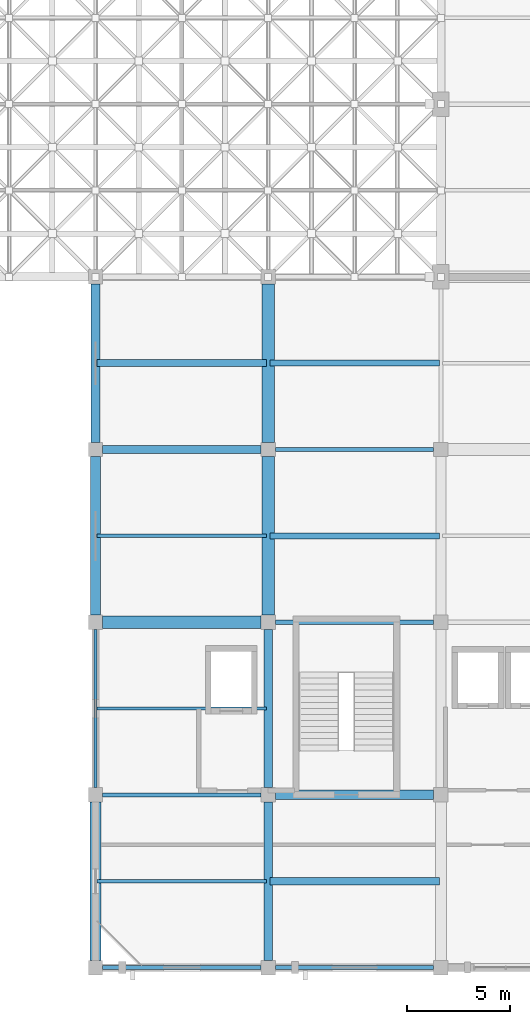
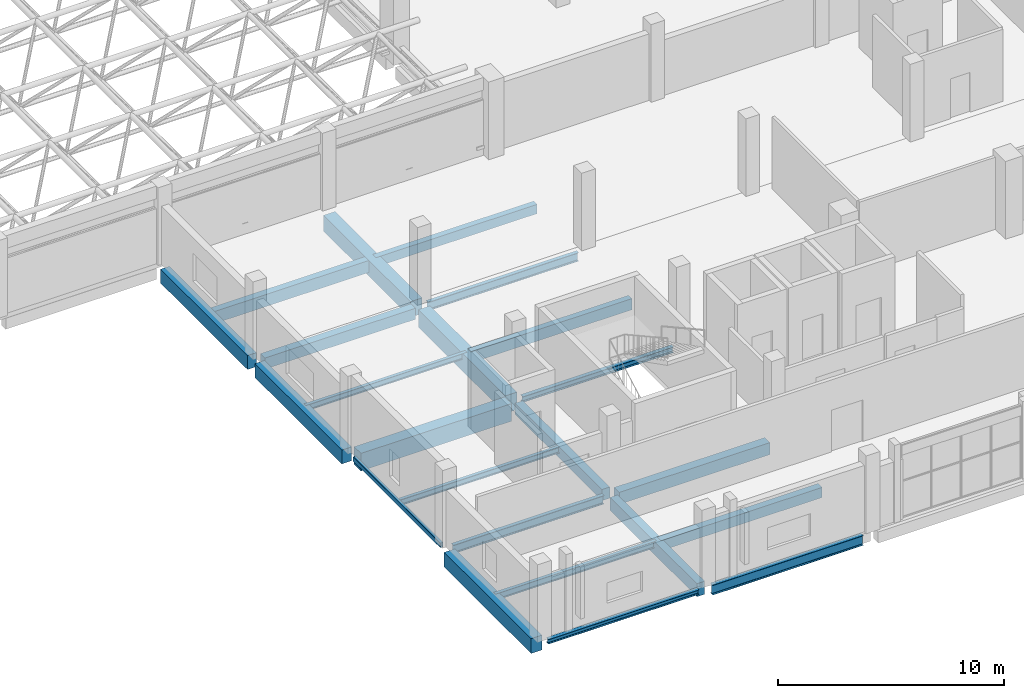
# One storey, part 9 of 64: 23 beams.
"""IFC4 building model written with IfcOpenShell, lengths in metres."""

from ifc_helpers import new_model, si_unit, derived_unit, direction, frame, origin, origin_2d, place, context, subcontext, project, spatial, rectangle, hollow_rectangle, i_section, extrude, material, material_profile, profile_set, type_object, element, save


model = new_model("IFC4")

# Units and contexts
model_context = context("Model", 3, precision=1e-05, world=origin(), true_north=direction((0.0, 1.0)))
body_context = subcontext(model_context, "Body", "Model", "MODEL_VIEW")
ifc_project = project(units=[si_unit("LENGTHUNIT", "METRE"), si_unit("AREAUNIT", "SQUARE_METRE"), si_unit("VOLUMEUNIT", "CUBIC_METRE"), si_unit("PLANEANGLEUNIT", "RADIAN"), si_unit("MASSUNIT", "GRAM", prefix="KILO"), derived_unit("THERMALTRANSMITTANCEUNIT", [(si_unit("POWERUNIT", "WATT"), 1), (si_unit("LENGTHUNIT", "METRE"), -2), (si_unit("THERMODYNAMICTEMPERATUREUNIT", "KELVIN"), -1)])], contexts=[model_context])

# Site, building, storey
site_placement = place(None, origin())
site = spatial("IfcSite", under=ifc_project, at=site_placement, CompositionType="ELEMENT")
building_placement = place(site_placement, origin())
building = spatial("IfcBuilding", under=site, at=building_placement, Name="Barrovel Congress Hotel", CompositionType="ELEMENT")
storey_placement = place(building_placement, frame((0.0, 0.0, 14.10009765625)))
storey = spatial("IfcBuildingStorey", under=building, at=storey_placement, Name="L03", CompositionType="ELEMENT", Elevation=14.10009765625)

# Beams
ifc_material_1 = material(Name="Concrete C40", Category="concrete")
ifc_material_profile_1 = material_profile(ifc_material_1, rectangle(XDim=0.300048828125, YDim=0.5, at=origin_2d()), Name="RC300x500")
ifc_profile_set_1 = profile_set([ifc_material_profile_1], Name="Concrete C40")
beam_type_1 = type_object("IfcBeamType", Name="BM-RC300x500", PredefinedType="JOIST", material=ifc_profile_set_1)
beam_1_placement = place(storey_placement, frame((25.280029296875, 33.60009765625, -0.489990234375), z_axis=(1.0, 0.0, 0.0), x_axis=(0.0, 1.0, 0.0)))
element("IfcBeam", 1, at=beam_1_placement, inside=storey, type_object=beam_type_1, Name="JST:L03:25.2:33.6", PredefinedType="JOIST", context=body_context, shape_type="SweptSolid", body=[
    extrude(rectangle(XDim=0.300048828125, YDim=0.5, at=origin_2d()), origin(), (0.0, 0.0, 1.0), 8.239990234375),
])
ifc_material_profile_2 = material_profile(ifc_material_1, rectangle(XDim=0.300048828125, YDim=0.60009765625, at=origin_2d()), Name="RC300x600")
ifc_profile_set_2 = profile_set([ifc_material_profile_2], Name="Concrete C40")
beam_type_2 = type_object("IfcBeamType", Name="BM-RC300x600", PredefinedType="JOIST", material=ifc_profile_set_2)
beam_2_placement = place(storey_placement, frame((25.280029296875, 25.199951171875, -0.5400390625), z_axis=(1.0, 0.0, 0.0), x_axis=(0.0, 1.0, 0.0)))
element("IfcBeam", 2, at=beam_2_placement, inside=storey, type_object=beam_type_2, Name="JST:L03:25.2:25.2", PredefinedType="JOIST", context=body_context, shape_type="SweptSolid", body=[
    extrude(rectangle(XDim=0.300048828125, YDim=0.60009765625, at=origin_2d()), origin(), (0.0, 0.0, 1.0), 8.239990234375),
])
ifc_material_profile_3 = material_profile(ifc_material_1, rectangle(XDim=0.35009765625, YDim=0.550048828125, at=origin_2d()), Name="RC350x550")
ifc_profile_set_3 = profile_set([ifc_material_profile_3], Name="Concrete C40")
beam_type_3 = type_object("IfcBeamType", Name="BM-RC350x550", PredefinedType="JOIST", material=ifc_profile_set_3)
beam_3_placement = place(storey_placement, frame((25.280029296875, 8.39990234375, -0.51513671875), z_axis=(1.0, 0.0, 0.0), x_axis=(0.0, 1.0, 0.0)))
element("IfcBeam", 3, at=beam_3_placement, inside=storey, type_object=beam_type_3, Name="JST:L03:25.2:8.4", PredefinedType="JOIST", context=body_context, shape_type="SweptSolid", body=[
    extrude(rectangle(XDim=0.35009765625, YDim=0.550048828125, at=origin_2d()), origin(), (0.0, 0.0, 1.0), 8.239990234375),
])
ifc_material_profile_4 = material_profile(ifc_material_1, rectangle(XDim=0.35009765625, YDim=0.64990234375, at=origin_2d()), Name="RC350x650")
ifc_profile_set_4 = profile_set([ifc_material_profile_4], Name="Concrete C40")
beam_type_4 = type_object("IfcBeamType", Name="BM-RC350x650", PredefinedType="JOIST", material=ifc_profile_set_4)
beam_4_placement = place(storey_placement, frame((16.8798828125, 33.60009765625, -0.565185546875), z_axis=(1.0, 0.0, 0.0), x_axis=(0.0, 1.0, 0.0)))
element("IfcBeam", 4, at=beam_4_placement, inside=storey, type_object=beam_type_4, Name="JST:L03:16.8:33.6", PredefinedType="JOIST", context=body_context, shape_type="SweptSolid", body=[
    extrude(rectangle(XDim=0.35009765625, YDim=0.64990234375, at=origin_2d()), origin(), (0.0, 0.0, 1.0), 8.240234375),
])
ifc_material_profile_5 = material_profile(ifc_material_1, rectangle(XDim=0.39990234375, YDim=0.60009765625, at=origin_2d()), Name="RC400x600")
ifc_profile_set_5 = profile_set([ifc_material_profile_5], Name="Concrete C40")
beam_type_5 = type_object("IfcBeamType", Name="BM-RC400x600", PredefinedType="BEAM", material=ifc_profile_set_5)
beam_5_placement = place(storey_placement, frame((17.14990234375, 29.39990234375, -0.5400390625), z_axis=(1.0, 0.0, 0.0), x_axis=(0.0, 1.0, 0.0)))
element("IfcBeam", 5, at=beam_5_placement, inside=storey, type_object=beam_type_5, Name="BMX:L03:29.4:16.8-25.2", PredefinedType="BEAM", context=body_context, shape_type="SweptSolid", body=[
    extrude(rectangle(XDim=0.39990234375, YDim=0.60009765625, at=origin_2d()), origin(), (0.0, 0.0, 1.0), 7.7001953125),
])
beam_6_placement = place(storey_placement, frame((25.199951171875, 12.949951171875, -0.5400390625), z_axis=(0.0, 1.0, 0.0), x_axis=(-1.0, 0.0, 0.0)))
element("IfcBeam", 6, at=beam_6_placement, inside=storey, type_object=beam_type_5, Name="BMY:L03:25.2:12.6-21.0", PredefinedType="BEAM", context=body_context, shape_type="SweptSolid", body=[
    extrude(rectangle(XDim=0.39990234375, YDim=0.60009765625, at=origin_2d()), origin(), (0.0, 0.0, 1.0), 7.699951171875),
])
ifc_material_profile_6 = material_profile(ifc_material_1, rectangle(XDim=0.39990234375, YDim=0.699951171875, at=origin_2d()), Name="RC400x700")
ifc_profile_set_6 = profile_set([ifc_material_profile_6], Name="Concrete C40")
beam_type_6 = type_object("IfcBeamType", Name="BM-RC400x700", PredefinedType="BEAM", material=ifc_profile_set_6)
beam_7_placement = place(storey_placement, frame((25.199951171875, 4.550048828125, -0.590087890625), z_axis=(0.0, 1.0, 0.0), x_axis=(-1.0, 0.0, 0.0)))
element("IfcBeam", 7, at=beam_7_placement, inside=storey, type_object=beam_type_6, Name="BMY:L03:25.2:4.2-12.6", PredefinedType="BEAM", context=body_context, shape_type="SweptSolid", body=[
    extrude(rectangle(XDim=0.39990234375, YDim=0.699951171875, at=origin_2d()), origin(), (0.0, 0.0, 1.0), 7.699951171875),
])
ifc_material_profile_7 = material_profile(ifc_material_1, rectangle(XDim=0.449951171875, YDim=0.64990234375, at=origin_2d()), Name="RC450x650")
ifc_profile_set_7 = profile_set([ifc_material_profile_7], Name="Concrete C40")
beam_type_7 = type_object("IfcBeamType", Name="BM-RC450x650", PredefinedType="BEAM", material=ifc_profile_set_7)
beam_8_placement = place(storey_placement, frame((25.550048828125, 12.60009765625, -0.565185546875), z_axis=(1.0, 0.0, 0.0), x_axis=(0.0, 1.0, 0.0)))
element("IfcBeam", 8, at=beam_8_placement, inside=storey, type_object=beam_type_7, Name="BMX:L03:12.6:25.2-33.6", PredefinedType="BEAM", context=body_context, shape_type="SweptSolid", body=[
    extrude(rectangle(XDim=0.449951171875, YDim=0.64990234375, at=origin_2d()), origin(), (0.0, 0.0, 1.0), 7.699951171875),
])
ifc_material_profile_8 = material_profile(ifc_material_1, rectangle(XDim=0.449951171875, YDim=0.75, at=origin_2d()), Name="RC450x750")
ifc_profile_set_8 = profile_set([ifc_material_profile_8], Name="Concrete C40")
beam_type_8 = type_object("IfcBeamType", Name="BM-RC450x750", PredefinedType="BEAM", material=ifc_profile_set_8)
beam_9_placement = place(storey_placement, frame((16.800048828125, 29.75, -0.614990234375), z_axis=(0.0, 1.0, 0.0), x_axis=(-1.0, 0.0, 0.0)))
element("IfcBeam", 9, at=beam_9_placement, inside=storey, type_object=beam_type_8, Name="BMY:L03:16.8:29.4-37.8", PredefinedType="BEAM", context=body_context, shape_type="SweptSolid", body=[
    extrude(rectangle(XDim=0.449951171875, YDim=0.75, at=origin_2d()), origin(), (0.0, 0.0, 1.0), 7.699951171875),
])
ifc_material_profile_9 = material_profile(ifc_material_1, rectangle(XDim=0.5, YDim=0.75, at=origin_2d()), Name="RC500x750")
ifc_profile_set_9 = profile_set([ifc_material_profile_9], Name="Concrete C40")
beam_type_9 = type_object("IfcBeamType", Name="BM-RC500x750", PredefinedType="BEAM", material=ifc_profile_set_9)
beam_10_placement = place(storey_placement, frame((16.800048828125, 21.35009765625, -0.614990234375), z_axis=(0.0, 1.0, 0.0), x_axis=(-1.0, 0.0, 0.0)))
element("IfcBeam", 10, at=beam_10_placement, inside=storey, type_object=beam_type_9, Name="BMY:L03:16.8:21.0-29.4", PredefinedType="BEAM", context=body_context, shape_type="SweptSolid", body=[
    extrude(rectangle(XDim=0.5, YDim=0.75, at=origin_2d()), origin(), (0.0, 0.0, 1.0), 7.699951171875),
])
ifc_material_profile_10 = material_profile(ifc_material_1, rectangle(XDim=0.550048828125, YDim=0.800048828125, at=origin_2d()), Name="RC550x800")
ifc_profile_set_10 = profile_set([ifc_material_profile_10], Name="Concrete C40")
beam_type_10 = type_object("IfcBeamType", Name="BM-RC550x800", PredefinedType="BEAM", material=ifc_profile_set_10)
beam_11_placement = place(storey_placement, frame((16.800048828125, 4.550048828125, -0.64013671875), z_axis=(0.0, 1.0, 0.0), x_axis=(-1.0, 0.0, 0.0)))
element("IfcBeam", 11, at=beam_11_placement, inside=storey, type_object=beam_type_10, Name="BMY:L03:16.8:4.2-12.6", PredefinedType="BEAM", context=body_context, shape_type="SweptSolid", body=[
    extrude(rectangle(XDim=0.550048828125, YDim=0.800048828125, at=origin_2d()), origin(), (0.0, 0.0, 1.0), 7.699951171875),
])
ifc_material_profile_11 = material_profile(ifc_material_1, rectangle(XDim=0.60009765625, YDim=0.85009765625, at=origin_2d()), Name="RC600x850")
ifc_profile_set_11 = profile_set([ifc_material_profile_11], Name="Concrete C40")
beam_type_11 = type_object("IfcBeamType", Name="BM-RC600x850", PredefinedType="BEAM", material=ifc_profile_set_11)
beam_12_placement = place(storey_placement, frame((25.199951171875, 29.75, -0.6650390625), z_axis=(0.0, 1.0, 0.0), x_axis=(-1.0, 0.0, 0.0)))
element("IfcBeam", 12, at=beam_12_placement, inside=storey, type_object=beam_type_11, Name="BMY:L03:25.2:29.4-37.8", PredefinedType="BEAM", context=body_context, shape_type="SweptSolid", body=[
    extrude(rectangle(XDim=0.60009765625, YDim=0.85009765625, at=origin_2d()), origin(), (0.0, 0.0, 1.0), 7.699951171875),
])
ifc_material_profile_12 = material_profile(ifc_material_1, rectangle(XDim=0.60009765625, YDim=0.949951171875, at=origin_2d()), Name="RC600x950")
ifc_profile_set_12 = profile_set([ifc_material_profile_12], Name="Concrete C40")
beam_type_12 = type_object("IfcBeamType", Name="BM-RC600x950", PredefinedType="BEAM", material=ifc_profile_set_12)
beam_13_placement = place(storey_placement, frame((17.14990234375, 21.0, -0.715087890625), z_axis=(1.0, 0.0, 0.0), x_axis=(0.0, 1.0, 0.0)))
element("IfcBeam", 13, at=beam_13_placement, inside=storey, type_object=beam_type_12, Name="BMX:L03:21.0:16.8-25.2", PredefinedType="BEAM", context=body_context, shape_type="SweptSolid", body=[
    extrude(rectangle(XDim=0.60009765625, YDim=0.949951171875, at=origin_2d()), origin(), (0.0, 0.0, 1.0), 7.7001953125),
])
beam_14_placement = place(storey_placement, frame((25.199951171875, 21.35009765625, -0.715087890625), z_axis=(0.0, 1.0, 0.0), x_axis=(-1.0, 0.0, 0.0)))
element("IfcBeam", 14, at=beam_14_placement, inside=storey, type_object=beam_type_12, Name="BMY:L03:25.2:21.0-29.4", PredefinedType="BEAM", context=body_context, shape_type="SweptSolid", body=[
    extrude(rectangle(XDim=0.60009765625, YDim=0.949951171875, at=origin_2d()), origin(), (0.0, 0.0, 1.0), 7.699951171875),
])
ifc_material_2 = material(Name="Steel ASTM A500 Grade C", Category="steel")
ifc_material_profile_13 = material_profile(ifc_material_2, hollow_rectangle(XDim=0.15234375, YDim=0.25390625, WallThickness=0.0087890625, InnerFilletRadius=0.0087890625, OuterFilletRadius=0.017578125, at=origin_2d()), Name="HSS254x152x9.5")
ifc_profile_set_13 = profile_set([ifc_material_profile_13], Name="Steel ASTM A500 Grade C")
beam_type_13 = type_object("IfcBeamType", Name="SBM-HSS254x152x9.5", PredefinedType="SPANDREL", material=ifc_profile_set_13)
beam_15_placement = place(storey_placement, frame((16.800048828125, 12.949951171875, -0.3671875), z_axis=(0.0, 1.0, 0.0), x_axis=(-1.0, 0.0, 0.0)))
element("IfcBeam", 15, at=beam_15_placement, inside=storey, type_object=beam_type_13, Name="BMY:L03:16.8:12.6-21.0", PredefinedType="SPANDREL", context=body_context, shape_type="SweptSolid", body=[
    extrude(hollow_rectangle(XDim=0.15234375, YDim=0.25390625, WallThickness=0.0087890625, InnerFilletRadius=0.0087890625, OuterFilletRadius=0.017578125, at=origin_2d()), origin(), (0.0, 0.0, 1.0), 7.699951171875),
])
ifc_material_3 = material(Name="Steel ASTM A992 Grade 50", Category="steel")
ifc_material_profile_14 = material_profile(ifc_material_3, i_section(OverallWidth=0.201904296875, OverallDepth=0.2470703125, WebThickness=0.00732421875, FlangeThickness=0.010986328125, FilletRadius=0.011962890625, at=origin_2d()), Name="W250x49")
ifc_profile_set_14 = profile_set([ifc_material_profile_14], Name="Steel ASTM A992 Grade 50")
beam_type_14 = type_object("IfcBeamType", Name="SBM-W250x49", PredefinedType="SPANDREL", material=ifc_profile_set_14)
beam_16_placement = place(storey_placement, frame((17.14990234375, 4.199951171875, -0.363525390625), z_axis=(1.0, 0.0, 0.0), x_axis=(0.0, 1.0, 0.0)))
element("IfcBeam", 16, at=beam_16_placement, inside=storey, type_object=beam_type_14, Name="BMX:L03:4.2:16.8-25.2", PredefinedType="SPANDREL", context=body_context, shape_type="SweptSolid", body=[
    extrude(i_section(OverallWidth=0.201904296875, OverallDepth=0.2470703125, WebThickness=0.00732421875, FlangeThickness=0.010986328125, FilletRadius=0.011962890625, at=origin_2d()), origin(), (0.0, 0.0, 1.0), 7.7001953125),
])
ifc_material_profile_15 = material_profile(ifc_material_3, i_section(OverallWidth=0.1650390625, OverallDepth=0.31005859375, WebThickness=0.005859375, FlangeThickness=0.009765625, FilletRadius=0.010986328125, at=origin_2d()), Name="W310x39")
ifc_profile_set_15 = profile_set([ifc_material_profile_15], Name="Steel ASTM A992 Grade 50")
beam_type_15 = type_object("IfcBeamType", Name="SBM-W310x39", PredefinedType="JOIST", material=ifc_profile_set_15)
beam_17_placement = place(storey_placement, frame((16.8798828125, 25.199951171875, -0.39501953125), z_axis=(1.0, 0.0, 0.0), x_axis=(0.0, 1.0, 0.0)))
element("IfcBeam", 17, at=beam_17_placement, inside=storey, type_object=beam_type_15, Name="JST:L03:16.8:25.2", PredefinedType="JOIST", context=body_context, shape_type="SweptSolid", body=[
    extrude(i_section(OverallWidth=0.1650390625, OverallDepth=0.31005859375, WebThickness=0.005859375, FlangeThickness=0.009765625, FilletRadius=0.010986328125, at=origin_2d()), origin(), (0.0, 0.0, 1.0), 8.240234375),
])
ifc_material_profile_16 = material_profile(ifc_material_3, i_section(OverallWidth=0.1669921875, OverallDepth=0.31689453125, WebThickness=0.007568359375, FlangeThickness=0.01318359375, FilletRadius=0.010986328125, at=origin_2d()), Name="W310x52")
ifc_profile_set_16 = profile_set([ifc_material_profile_16], Name="Steel ASTM A992 Grade 50")
beam_type_16 = type_object("IfcBeamType", Name="SBM-W310x52", PredefinedType="JOIST", material=ifc_profile_set_16)
beam_18_placement = place(storey_placement, frame((16.8798828125, 16.800048828125, -0.398681640625), z_axis=(1.0, 0.0, 0.0), x_axis=(0.0, 1.0, 0.0)))
element("IfcBeam", 18, at=beam_18_placement, inside=storey, type_object=beam_type_16, Name="JST:L03:16.8:16.8", PredefinedType="JOIST", context=body_context, shape_type="SweptSolid", body=[
    extrude(i_section(OverallWidth=0.1669921875, OverallDepth=0.31689453125, WebThickness=0.007568359375, FlangeThickness=0.01318359375, FilletRadius=0.010986328125, at=origin_2d()), origin(), (0.0, 0.0, 1.0), 8.240234375),
])
ifc_material_profile_17 = material_profile(ifc_material_3, i_section(OverallWidth=0.205078125, OverallDepth=0.31005859375, WebThickness=0.009521484375, FlangeThickness=0.016357421875, FilletRadius=0.012939453125, at=origin_2d()), Name="W310x74")
ifc_profile_set_17 = profile_set([ifc_material_profile_17], Name="Steel ASTM A992 Grade 50")
beam_type_17 = type_object("IfcBeamType", Name="SBM-W310x74", PredefinedType="SPANDREL", material=ifc_profile_set_17)
beam_19_placement = place(storey_placement, frame((25.550048828125, 21.0, -0.39501953125), z_axis=(1.0, 0.0, 0.0), x_axis=(0.0, 1.0, 0.0)))
element("IfcBeam", 19, at=beam_19_placement, inside=storey, type_object=beam_type_17, Name="BMX:L03:21.0:25.2-33.6", PredefinedType="SPANDREL", context=body_context, shape_type="SweptSolid", body=[
    extrude(i_section(OverallWidth=0.205078125, OverallDepth=0.31005859375, WebThickness=0.009521484375, FlangeThickness=0.016357421875, FilletRadius=0.012939453125, at=origin_2d()), origin(), (0.0, 0.0, 1.0), 7.699951171875),
])
ifc_material_profile_18 = material_profile(ifc_material_3, i_section(OverallWidth=0.1708984375, OverallDepth=0.35205078125, WebThickness=0.0068359375, FlangeThickness=0.009765625, FilletRadius=0.011962890625, at=origin_2d()), Name="W360x44")
ifc_profile_set_18 = profile_set([ifc_material_profile_18], Name="Steel ASTM A992 Grade 50")
beam_type_18 = type_object("IfcBeamType", Name="SBM-W360x44", PredefinedType="JOIST", material=ifc_profile_set_18)
beam_20_placement = place(storey_placement, frame((16.8798828125, 8.39990234375, -0.416015625), z_axis=(1.0, 0.0, 0.0), x_axis=(0.0, 1.0, 0.0)))
element("IfcBeam", 20, at=beam_20_placement, inside=storey, type_object=beam_type_18, Name="JST:L03:16.8:8.4", PredefinedType="JOIST", context=body_context, shape_type="SweptSolid", body=[
    extrude(i_section(OverallWidth=0.1708984375, OverallDepth=0.35205078125, WebThickness=0.0068359375, FlangeThickness=0.009765625, FilletRadius=0.011962890625, at=origin_2d()), origin(), (0.0, 0.0, 1.0), 8.240234375),
])
ifc_material_profile_19 = material_profile(ifc_material_3, i_section(OverallWidth=0.19091796875, OverallDepth=0.4599609375, WebThickness=0.010009765625, FlangeThickness=0.01611328125, FilletRadius=0.012939453125, at=origin_2d()), Name="W460x82")
ifc_profile_set_19 = profile_set([ifc_material_profile_19], Name="Steel ASTM A992 Grade 50")
beam_type_19 = type_object("IfcBeamType", Name="SBM-W460x82", PredefinedType="BEAM", material=ifc_profile_set_19)
beam_21_placement = place(storey_placement, frame((17.14990234375, 12.60009765625, -0.47021484375), z_axis=(1.0, 0.0, 0.0), x_axis=(0.0, 1.0, 0.0)))
element("IfcBeam", 21, at=beam_21_placement, inside=storey, type_object=beam_type_19, Name="BMX:L03:12.6:16.8-25.2", PredefinedType="BEAM", context=body_context, shape_type="SweptSolid", body=[
    extrude(i_section(OverallWidth=0.19091796875, OverallDepth=0.4599609375, WebThickness=0.010009765625, FlangeThickness=0.01611328125, FilletRadius=0.012939453125, at=origin_2d()), origin(), (0.0, 0.0, 1.0), 7.7001953125),
])
beam_22_placement = place(storey_placement, frame((25.550048828125, 29.39990234375, -0.47021484375), z_axis=(1.0, 0.0, 0.0), x_axis=(0.0, 1.0, 0.0)))
element("IfcBeam", 22, at=beam_22_placement, inside=storey, type_object=beam_type_19, Name="BMX:L03:29.4:25.2-33.6", PredefinedType="BEAM", context=body_context, shape_type="SweptSolid", body=[
    extrude(i_section(OverallWidth=0.19091796875, OverallDepth=0.4599609375, WebThickness=0.010009765625, FlangeThickness=0.01611328125, FilletRadius=0.012939453125, at=origin_2d()), origin(), (0.0, 0.0, 1.0), 7.699951171875),
])
ifc_material_profile_20 = material_profile(ifc_material_3, i_section(OverallWidth=0.208984375, OverallDepth=0.532958984375, WebThickness=0.01025390625, FlangeThickness=0.015625, FilletRadius=0.013916015625, at=origin_2d()), Name="W530x92")
ifc_profile_set_20 = profile_set([ifc_material_profile_20], Name="Steel ASTM A992 Grade 50")
beam_type_20 = type_object("IfcBeamType", Name="SBM-W530x92", PredefinedType="BEAM", material=ifc_profile_set_20)
beam_23_placement = place(storey_placement, frame((25.550048828125, 4.199951171875, -0.506591796875), z_axis=(1.0, 0.0, 0.0), x_axis=(0.0, 1.0, 0.0)))
element("IfcBeam", 23, at=beam_23_placement, inside=storey, type_object=beam_type_20, Name="BMX:L03:4.2:25.2-33.6", PredefinedType="BEAM", context=body_context, shape_type="SweptSolid", body=[
    extrude(i_section(OverallWidth=0.208984375, OverallDepth=0.532958984375, WebThickness=0.01025390625, FlangeThickness=0.015625, FilletRadius=0.013916015625, at=origin_2d()), origin(), (0.0, 0.0, 1.0), 7.699951171875),
])

save(model, "model.ifc")
